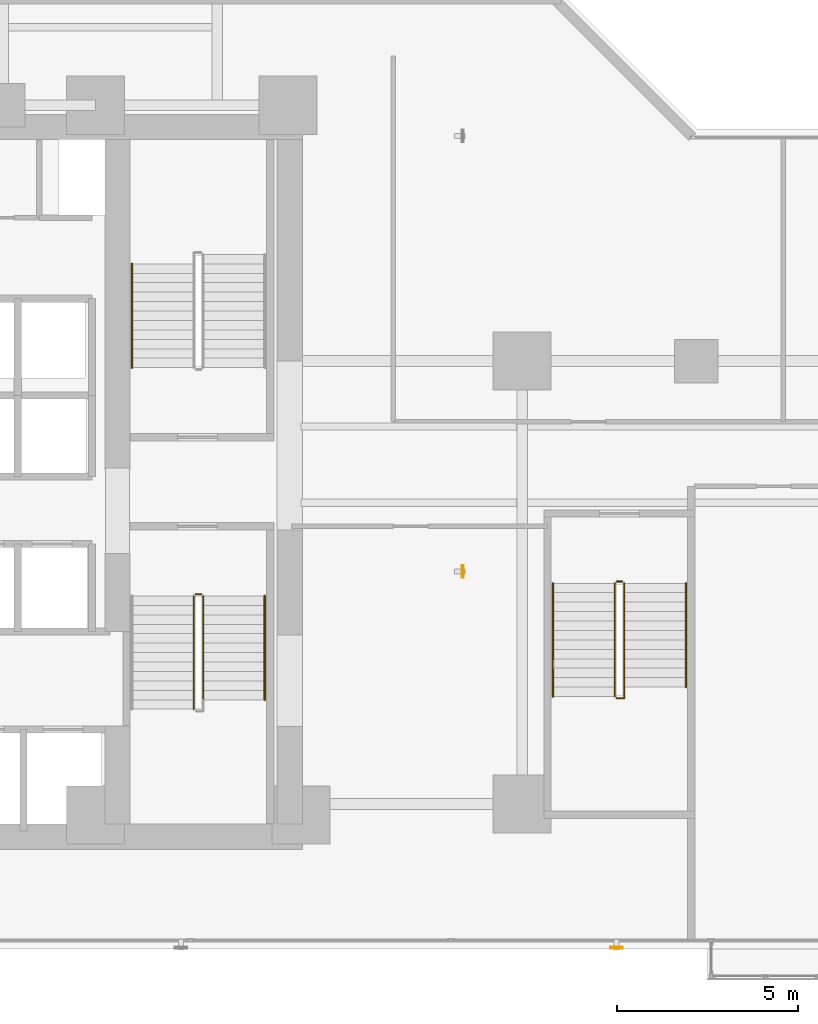
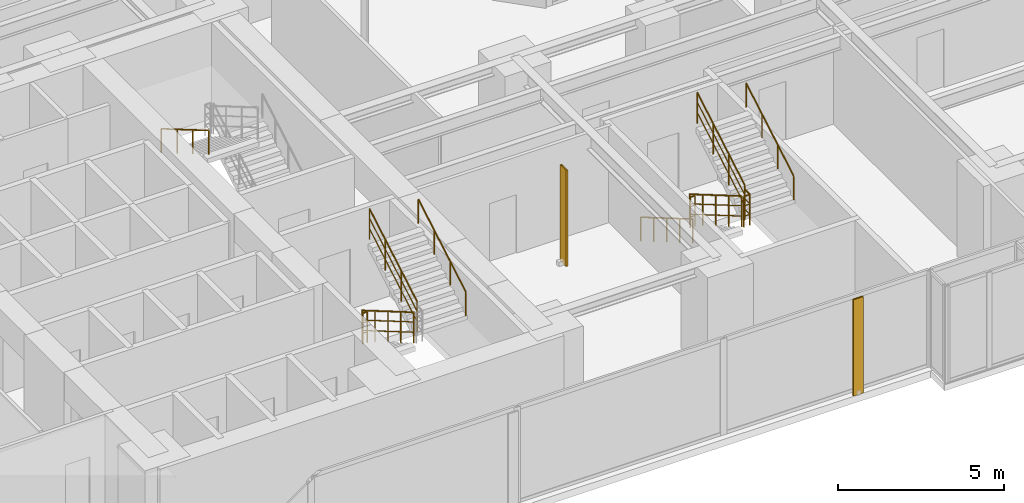
# One storey, part 28 of 31: 11 railings, 2 shading devices.
"""IFC4 building model written with IfcOpenShell, lengths in metres."""

from ifc_helpers import new_model, si_unit, direction, frame, origin, origin_2d, place, context, subcontext, project, spatial, hollow_rectangle, circle, extrude, material, material_profile, profile_set, type_object, element, save


model = new_model("IFC4")

# Units and contexts
model_context = context("Model", 3, precision=1e-05, world=origin(), true_north=direction((0.0, 1.0)))
body_context = subcontext(model_context, "Body", "Model", "MODEL_VIEW")
ifc_project = project(units=[si_unit("LENGTHUNIT", "METRE"), si_unit("AREAUNIT", "SQUARE_METRE"), si_unit("VOLUMEUNIT", "CUBIC_METRE"), si_unit("PLANEANGLEUNIT", "RADIAN"), si_unit("MASSUNIT", "GRAM", prefix="KILO")], contexts=[model_context])

# Site, building, storey
site_placement = place(None, origin())
site = spatial("IfcSite", under=ifc_project, at=site_placement, CompositionType="ELEMENT")
building_placement = place(site_placement, origin())
building = spatial("IfcBuilding", under=site, at=building_placement, Name="Kolvaren Waterfront Exchange", CompositionType="ELEMENT")
storey_placement = place(building_placement, frame((0.0, 0.0, 67.60009765625)))
storey = spatial("IfcBuildingStorey", under=building, at=storey_placement, Name="L17", CompositionType="ELEMENT", Elevation=67.60009765625)

# Shading devices
ifc_material_1 = material(Name="Anodised bronze aluminium 6063-T6", Category="aluminium")
ifc_material_profile = material_profile(ifc_material_1, hollow_rectangle(XDim=0.06005859375, YDim=0.35009765625, WallThickness=0.0048828125, at=origin_2d()), Name="BRZ-FIN-350x60x5")
ifc_profile_set = profile_set([ifc_material_profile], Name="Anodised bronze aluminium 6063-T6")
shading_device_type = type_object("IfcShadingDeviceType", Name="ARC-FIN-350", PredefinedType="USERDEFINED", material=ifc_profile_set)
for number, where, z_axis, x_axis, name in (
    (1, (29.800048828125, 1.239990234375, 0.0), (0.0, 0.0, 1.0), (0.0, -1.0, 0.0), "L17 anodised bronze solar shading fin FIN-L17-S3"),
    (2, (25.56005859375, 11.60009765625, 0.0), (0.0, 0.0, 1.0), (1.0, 0.0, 0.0), "L17 anodised bronze solar shading fin FIN-L17-E1"),
):
    element("IfcShadingDevice", number, at=place(storey_placement, frame(where, z_axis=z_axis, x_axis=x_axis)), inside=storey, type_object=shading_device_type, Name=name, ObjectType="SOLAR FIN", PredefinedType="USERDEFINED", context=body_context, shape_type="SweptSolid", body=[
        extrude(hollow_rectangle(XDim=0.06005859375, YDim=0.35009765625, WallThickness=0.0048828125, at=origin_2d()), origin(), (0.0, 0.0, 1.0), 3.539794921875),
    ])

# Railings
ifc_material_2 = material(Name="Stainless steel 316", Category="steel")
railing_type_1 = type_object("IfcRailingType", Name="ARC-GUARD-STAIR", PredefinedType="GUARDRAIL", material=ifc_material_2)
railing_1_placement = place(storey_placement, frame((18.14990234375, 10.929931640625, 0.15185546875)))
element("IfcRailing", 3, at=railing_1_placement, inside=storey, type_object=railing_type_1, Name="L17 ST1 stair guard 1", PredefinedType="GUARDRAIL", context=body_context, shape_type="SweptSolid", body=[
    extrude(circle(Radius=0.02392578125, at=origin_2d()), frame((0.0, 0.0, 1.1259765625), z_axis=(0.0, -0.86329090724, 0.504706656858), x_axis=(1.0, 0.0, 0.0)), (0.0, 0.0, 1.0), 3.614013671875),
    extrude(circle(Radius=0.01611328125, at=origin_2d()), frame((0.0, 0.0, 0.390869140625), z_axis=(0.0, -0.86329090724, 0.504706656858), x_axis=(1.0, 0.0, 0.0)), (0.0, 0.0, 1.0), 3.614013671875),
    extrude(circle(Radius=0.01611328125, at=origin_2d()), frame((0.0, 0.0, 0.7705078125), z_axis=(0.0, -0.86329090724, 0.504706656858), x_axis=(1.0, 0.0, 0.0)), (0.0, 0.0, 1.0), 3.614013671875),
    extrude(circle(Radius=0.02099609375, at=origin_2d()), origin(), (0.0, 0.0, 1.0), 1.101806640625),
    extrude(circle(Radius=0.02099609375, at=origin_2d()), frame((0.0, -0.780029296875, 0.4560546875)), (0.0, 0.0, 1.0), 1.101806640625),
    extrude(circle(Radius=0.02099609375, at=origin_2d()), frame((0.0, -1.56005859375, 0.912109375)), (0.0, 0.0, 1.0), 1.101806640625),
    extrude(circle(Radius=0.02099609375, at=origin_2d()), frame((0.0, -2.33984375, 1.367919921875)), (0.0, 0.0, 1.0), 1.101806640625),
    extrude(circle(Radius=0.02099609375, at=origin_2d()), frame((0.0, -3.119873046875, 1.823974609375)), (0.0, 0.0, 1.0), 1.101806640625),
])
railing_2_placement = place(storey_placement, frame((18.409912109375, 8.070068359375, 2.1279296875)))
element("IfcRailing", 4, at=railing_2_placement, inside=storey, type_object=railing_type_1, Name="L17 ST1 stair guard 3", PredefinedType="GUARDRAIL", context=body_context, shape_type="SweptSolid", body=[
    extrude(circle(Radius=0.02392578125, at=origin_2d()), frame((0.0, 0.0, 1.1259765625), z_axis=(0.0, 0.86330272217, 0.504686447108), x_axis=(-1.0, 0.0, 0.0)), (0.0, 0.0, 1.0), 3.312744140625),
    extrude(circle(Radius=0.01611328125, at=origin_2d()), frame((0.0, 0.0, 0.390869140625), z_axis=(0.0, 0.86330272217, 0.504686447108), x_axis=(-1.0, 0.0, 0.0)), (0.0, 0.0, 1.0), 3.312744140625),
    extrude(circle(Radius=0.01611328125, at=origin_2d()), frame((0.0, 0.0, 0.7705078125), z_axis=(0.0, 0.86330272217, 0.504686447108), x_axis=(-1.0, 0.0, 0.0)), (0.0, 0.0, 1.0), 3.312744140625),
    extrude(circle(Radius=0.02099609375, at=origin_2d()), origin(), (0.0, 0.0, 1.0), 1.101806640625),
    extrude(circle(Radius=0.02099609375, at=origin_2d()), frame((0.0, 0.953369140625, 0.557373046875)), (0.0, 0.0, 1.0), 1.101806640625),
    extrude(circle(Radius=0.02099609375, at=origin_2d()), frame((0.0, 1.906494140625, 1.114501953125)), (0.0, 0.0, 1.0), 1.101806640625),
    extrude(circle(Radius=0.02099609375, at=origin_2d()), frame((0.0, 2.85986328125, 1.671875)), (0.0, 0.0, 1.0), 1.101806640625),
])
railing_3_placement = place(storey_placement, frame((18.199951171875, 10.97998046875, 0.0)))
element("IfcRailing", 5, at=railing_3_placement, inside=storey, type_object=railing_type_1, Name="L17 ST1 stair guard 4", PredefinedType="GUARDRAIL", context=body_context, shape_type="SweptSolid", body=[
    extrude(circle(Radius=0.02392578125, at=origin_2d()), frame((0.0, 0.0, 1.1259765625), z_axis=(1.0, 0.0, 0.0), x_axis=(0.0, 1.0, 0.0)), (0.0, 0.0, 1.0), 0.16015625),
    extrude(circle(Radius=0.01611328125, at=origin_2d()), frame((0.0, 0.0, 0.390869140625), z_axis=(1.0, 0.0, 0.0), x_axis=(0.0, 1.0, 0.0)), (0.0, 0.0, 1.0), 0.16015625),
    extrude(circle(Radius=0.01611328125, at=origin_2d()), frame((0.0, 0.0, 0.7705078125), z_axis=(1.0, 0.0, 0.0), x_axis=(0.0, 1.0, 0.0)), (0.0, 0.0, 1.0), 0.16015625),
    extrude(circle(Radius=0.02099609375, at=origin_2d()), origin(), (0.0, 0.0, 1.0), 1.101806640625),
    extrude(circle(Radius=0.02099609375, at=origin_2d()), frame((0.16015625, 0.0, 0.0)), (0.0, 0.0, 1.0), 1.101806640625),
])
railing_4_placement = place(storey_placement, frame((29.75, 11.280029296875, 0.15185546875)))
element("IfcRailing", 6, at=railing_4_placement, inside=storey, type_object=railing_type_1, Name="L17 ST3 stair guard 1", PredefinedType="GUARDRAIL", context=body_context, shape_type="SweptSolid", body=[
    extrude(circle(Radius=0.02392578125, at=origin_2d()), frame((0.0, 0.0, 1.1259765625), z_axis=(0.0, -0.86330811405, 0.504677223793), x_axis=(1.0, 0.0, 0.0)), (0.0, 0.0, 1.0), 3.6142578125),
    extrude(circle(Radius=0.01611328125, at=origin_2d()), frame((0.0, 0.0, 0.390869140625), z_axis=(0.0, -0.86330811405, 0.504677223793), x_axis=(1.0, 0.0, 0.0)), (0.0, 0.0, 1.0), 3.6142578125),
    extrude(circle(Radius=0.01611328125, at=origin_2d()), frame((0.0, 0.0, 0.7705078125), z_axis=(0.0, -0.86330811405, 0.504677223793), x_axis=(1.0, 0.0, 0.0)), (0.0, 0.0, 1.0), 3.6142578125),
    extrude(circle(Radius=0.02099609375, at=origin_2d()), origin(), (0.0, 0.0, 1.0), 1.101806640625),
    extrude(circle(Radius=0.02099609375, at=origin_2d()), frame((0.0, -0.780029296875, 0.4560546875)), (0.0, 0.0, 1.0), 1.101806640625),
    extrude(circle(Radius=0.02099609375, at=origin_2d()), frame((0.0, -1.56005859375, 0.912109375)), (0.0, 0.0, 1.0), 1.101806640625),
    extrude(circle(Radius=0.02099609375, at=origin_2d()), frame((0.0, -2.340087890625, 1.367919921875)), (0.0, 0.0, 1.0), 1.101806640625),
    extrude(circle(Radius=0.02099609375, at=origin_2d()), frame((0.0, -3.1201171875, 1.823974609375)), (0.0, 0.0, 1.0), 1.101806640625),
])
railing_5_placement = place(storey_placement, frame((29.800048828125, 8.110107421875, 1.975830078125)))
element("IfcRailing", 7, at=railing_5_placement, inside=storey, type_object=railing_type_1, Name="L17 ST3 stair guard 2", PredefinedType="GUARDRAIL", context=body_context, shape_type="SweptSolid", body=[
    extrude(circle(Radius=0.02392578125, at=origin_2d()), frame((0.0, 0.0, 1.1259765625), z_axis=(1.0, 0.0, 0.0), x_axis=(0.0, 1.0, 0.0)), (0.0, 0.0, 1.0), 0.2099609375),
    extrude(circle(Radius=0.01611328125, at=origin_2d()), frame((0.0, 0.0, 0.390869140625), z_axis=(1.0, 0.0, 0.0), x_axis=(0.0, 1.0, 0.0)), (0.0, 0.0, 1.0), 0.2099609375),
    extrude(circle(Radius=0.01611328125, at=origin_2d()), frame((0.0, 0.0, 0.7705078125), z_axis=(1.0, 0.0, 0.0), x_axis=(0.0, 1.0, 0.0)), (0.0, 0.0, 1.0), 0.2099609375),
    extrude(circle(Radius=0.02392578125, at=origin_2d()), frame((0.2099609375, 0.0, 1.1259765625), z_axis=(0.0, 1.0, 0.0), x_axis=(-1.0, 0.0, 0.0)), (0.0, 0.0, 1.0), 0.309814453125),
    extrude(circle(Radius=0.01611328125, at=origin_2d()), frame((0.2099609375, 0.0, 0.390869140625), z_axis=(0.0, 1.0, 0.0), x_axis=(-1.0, 0.0, 0.0)), (0.0, 0.0, 1.0), 0.309814453125),
    extrude(circle(Radius=0.01611328125, at=origin_2d()), frame((0.2099609375, 0.0, 0.7705078125), z_axis=(0.0, 1.0, 0.0), x_axis=(-1.0, 0.0, 0.0)), (0.0, 0.0, 1.0), 0.309814453125),
    extrude(circle(Radius=0.02099609375, at=origin_2d()), origin(), (0.0, 0.0, 1.0), 1.101806640625),
    extrude(circle(Radius=0.02099609375, at=origin_2d()), frame((0.2099609375, 0.0, 0.0)), (0.0, 0.0, 1.0), 1.101806640625),
    extrude(circle(Radius=0.02099609375, at=origin_2d()), frame((0.2099609375, 0.309814453125, 0.0)), (0.0, 0.0, 1.0), 1.101806640625),
])
railing_6_placement = place(storey_placement, frame((30.010009765625, 8.419921875, 2.1279296875)))
element("IfcRailing", 8, at=railing_6_placement, inside=storey, type_object=railing_type_1, Name="L17 ST3 stair guard 3", PredefinedType="GUARDRAIL", context=body_context, shape_type="SweptSolid", body=[
    extrude(circle(Radius=0.02392578125, at=origin_2d()), frame((0.0, 0.0, 1.1259765625), z_axis=(0.0, 0.863321491973, 0.504654338629), x_axis=(-1.0, 0.0, 0.0)), (0.0, 0.0, 1.0), 3.31298828125),
    extrude(circle(Radius=0.01611328125, at=origin_2d()), frame((0.0, 0.0, 0.390869140625), z_axis=(0.0, 0.863321491973, 0.504654338629), x_axis=(-1.0, 0.0, 0.0)), (0.0, 0.0, 1.0), 3.31298828125),
    extrude(circle(Radius=0.01611328125, at=origin_2d()), frame((0.0, 0.0, 0.7705078125), z_axis=(0.0, 0.863321491973, 0.504654338629), x_axis=(-1.0, 0.0, 0.0)), (0.0, 0.0, 1.0), 3.31298828125),
    extrude(circle(Radius=0.02099609375, at=origin_2d()), origin(), (0.0, 0.0, 1.0), 1.101806640625),
    extrude(circle(Radius=0.02099609375, at=origin_2d()), frame((0.0, 0.953369140625, 0.557373046875)), (0.0, 0.0, 1.0), 1.101806640625),
    extrude(circle(Radius=0.02099609375, at=origin_2d()), frame((0.0, 1.90673828125, 1.114501953125)), (0.0, 0.0, 1.0), 1.101806640625),
    extrude(circle(Radius=0.02099609375, at=origin_2d()), frame((0.0, 2.860107421875, 1.671875)), (0.0, 0.0, 1.0), 1.101806640625),
])
railing_7_placement = place(storey_placement, frame((29.800048828125, 11.330078125, 0.0)))
element("IfcRailing", 9, at=railing_7_placement, inside=storey, type_object=railing_type_1, Name="L17 ST3 stair guard 4", PredefinedType="GUARDRAIL", context=body_context, shape_type="SweptSolid", body=[
    extrude(circle(Radius=0.02392578125, at=origin_2d()), frame((0.0, 0.0, 1.1259765625), z_axis=(1.0, 0.0, 0.0), x_axis=(0.0, 1.0, 0.0)), (0.0, 0.0, 1.0), 0.159912109375),
    extrude(circle(Radius=0.01611328125, at=origin_2d()), frame((0.0, 0.0, 0.390869140625), z_axis=(1.0, 0.0, 0.0), x_axis=(0.0, 1.0, 0.0)), (0.0, 0.0, 1.0), 0.159912109375),
    extrude(circle(Radius=0.01611328125, at=origin_2d()), frame((0.0, 0.0, 0.7705078125), z_axis=(1.0, 0.0, 0.0), x_axis=(0.0, 1.0, 0.0)), (0.0, 0.0, 1.0), 0.159912109375),
    extrude(circle(Radius=0.02099609375, at=origin_2d()), origin(), (0.0, 0.0, 1.0), 1.101806640625),
    extrude(circle(Radius=0.02099609375, at=origin_2d()), frame((0.159912109375, 0.0, 0.0)), (0.0, 0.0, 1.0), 1.101806640625),
])
railing_type_2 = type_object("IfcRailingType", Name="ARC-HANDRAIL-900", PredefinedType="HANDRAIL", material=ifc_material_2)
railing_8_placement = place(storey_placement, frame((20.110107421875, 8.070068359375, 2.1279296875)))
element("IfcRailing", 10, at=railing_8_placement, inside=storey, type_object=railing_type_2, Name="L17 ST1 stair handrail 2", PredefinedType="HANDRAIL", context=body_context, shape_type="SweptSolid", body=[
    extrude(circle(Radius=0.02392578125, at=origin_2d()), frame((0.0, 0.0, 0.8759765625), z_axis=(0.0, 0.86330272217, 0.504686447108), x_axis=(-1.0, 0.0, 0.0)), (0.0, 0.0, 1.0), 3.312744140625),
    extrude(circle(Radius=0.02099609375, at=origin_2d()), origin(), (0.0, 0.0, 1.0), 0.851806640625),
    extrude(circle(Radius=0.02099609375, at=origin_2d()), frame((0.0, 0.953369140625, 0.557373046875)), (0.0, 0.0, 1.0), 0.851806640625),
    extrude(circle(Radius=0.02099609375, at=origin_2d()), frame((0.0, 1.906494140625, 1.114501953125)), (0.0, 0.0, 1.0), 0.851806640625),
    extrude(circle(Radius=0.02099609375, at=origin_2d()), frame((0.0, 2.85986328125, 1.671875)), (0.0, 0.0, 1.0), 0.851806640625),
])
railing_9_placement = place(storey_placement, frame((16.449951171875, 20.080078125, 2.1279296875)))
element("IfcRailing", 11, at=railing_9_placement, inside=storey, type_object=railing_type_2, Name="L17 ST2 stair handrail 2", PredefinedType="HANDRAIL", context=body_context, shape_type="SweptSolid", body=[
    extrude(circle(Radius=0.02392578125, at=origin_2d()), frame((0.0, 0.0, 0.8759765625), z_axis=(0.0, -0.863321491973, 0.504654338629), x_axis=(1.0, 0.0, 0.0)), (0.0, 0.0, 1.0), 3.31298828125),
    extrude(circle(Radius=0.02099609375, at=origin_2d()), origin(), (0.0, 0.0, 1.0), 0.851806640625),
    extrude(circle(Radius=0.02099609375, at=origin_2d()), frame((0.0, -0.953369140625, 0.557373046875)), (0.0, 0.0, 1.0), 0.851806640625),
    extrude(circle(Radius=0.02099609375, at=origin_2d()), frame((0.0, -1.90673828125, 1.114501953125)), (0.0, 0.0, 1.0), 0.851806640625),
    extrude(circle(Radius=0.02099609375, at=origin_2d()), frame((0.0, -2.860107421875, 1.671875)), (0.0, 0.0, 1.0), 0.851806640625),
])
railing_10_placement = place(storey_placement, frame((28.050048828125, 11.280029296875, 0.15185546875)))
element("IfcRailing", 12, at=railing_10_placement, inside=storey, type_object=railing_type_2, Name="L17 ST3 stair handrail 1", PredefinedType="HANDRAIL", context=body_context, shape_type="SweptSolid", body=[
    extrude(circle(Radius=0.02392578125, at=origin_2d()), frame((0.0, 0.0, 0.8759765625), z_axis=(0.0, -0.86330811405, 0.504677223793), x_axis=(1.0, 0.0, 0.0)), (0.0, 0.0, 1.0), 3.6142578125),
    extrude(circle(Radius=0.02099609375, at=origin_2d()), origin(), (0.0, 0.0, 1.0), 0.851806640625),
    extrude(circle(Radius=0.02099609375, at=origin_2d()), frame((0.0, -0.780029296875, 0.4560546875)), (0.0, 0.0, 1.0), 0.851806640625),
    extrude(circle(Radius=0.02099609375, at=origin_2d()), frame((0.0, -1.56005859375, 0.912109375)), (0.0, 0.0, 1.0), 0.851806640625),
    extrude(circle(Radius=0.02099609375, at=origin_2d()), frame((0.0, -2.340087890625, 1.367919921875)), (0.0, 0.0, 1.0), 0.851806640625),
    extrude(circle(Radius=0.02099609375, at=origin_2d()), frame((0.0, -3.1201171875, 1.823974609375)), (0.0, 0.0, 1.0), 0.851806640625),
])
railing_11_placement = place(storey_placement, frame((31.7099609375, 8.419921875, 2.1279296875)))
element("IfcRailing", 13, at=railing_11_placement, inside=storey, type_object=railing_type_2, Name="L17 ST3 stair handrail 2", PredefinedType="HANDRAIL", context=body_context, shape_type="SweptSolid", body=[
    extrude(circle(Radius=0.02392578125, at=origin_2d()), frame((0.0, 0.0, 0.8759765625), z_axis=(0.0, 0.863321491973, 0.504654338629), x_axis=(-1.0, 0.0, 0.0)), (0.0, 0.0, 1.0), 3.31298828125),
    extrude(circle(Radius=0.02099609375, at=origin_2d()), origin(), (0.0, 0.0, 1.0), 0.851806640625),
    extrude(circle(Radius=0.02099609375, at=origin_2d()), frame((0.0, 0.953369140625, 0.557373046875)), (0.0, 0.0, 1.0), 0.851806640625),
    extrude(circle(Radius=0.02099609375, at=origin_2d()), frame((0.0, 1.90673828125, 1.114501953125)), (0.0, 0.0, 1.0), 0.851806640625),
    extrude(circle(Radius=0.02099609375, at=origin_2d()), frame((0.0, 2.860107421875, 1.671875)), (0.0, 0.0, 1.0), 0.851806640625),
])

save(model, "model.ifc")
